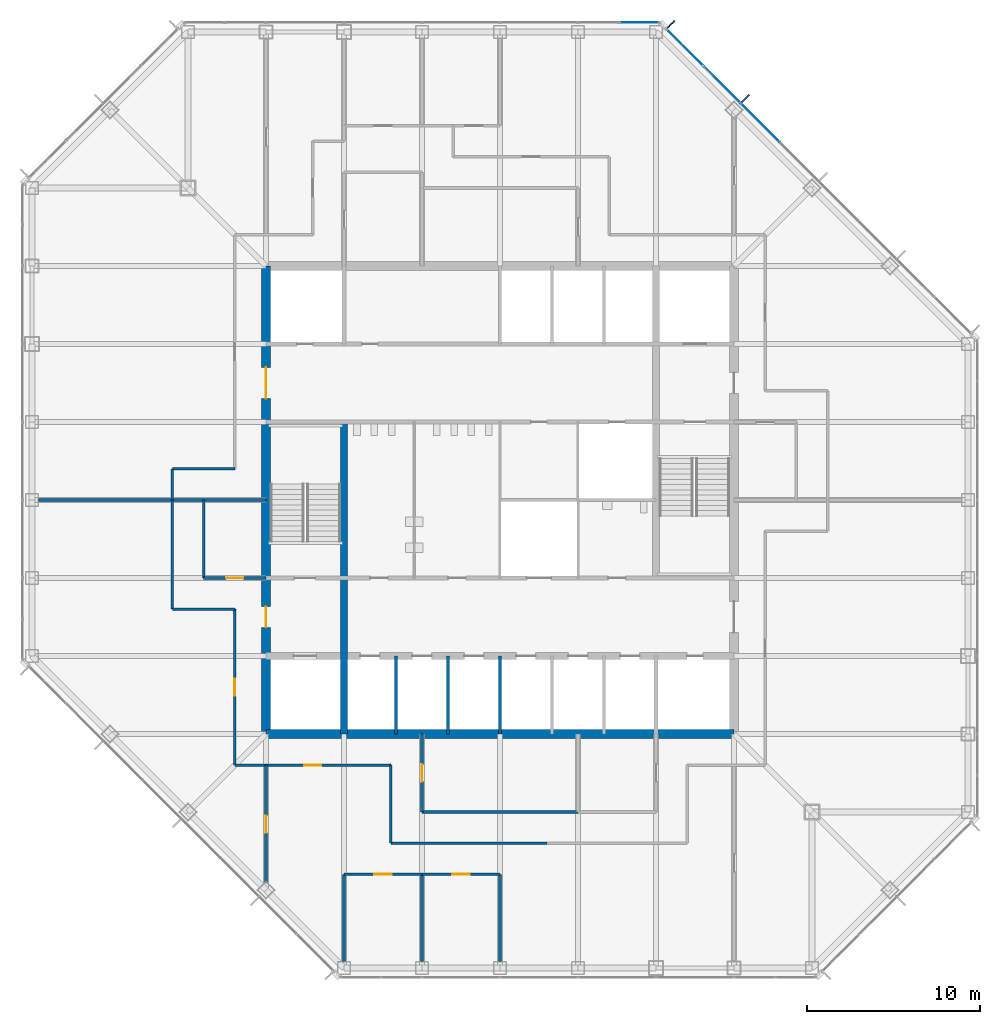
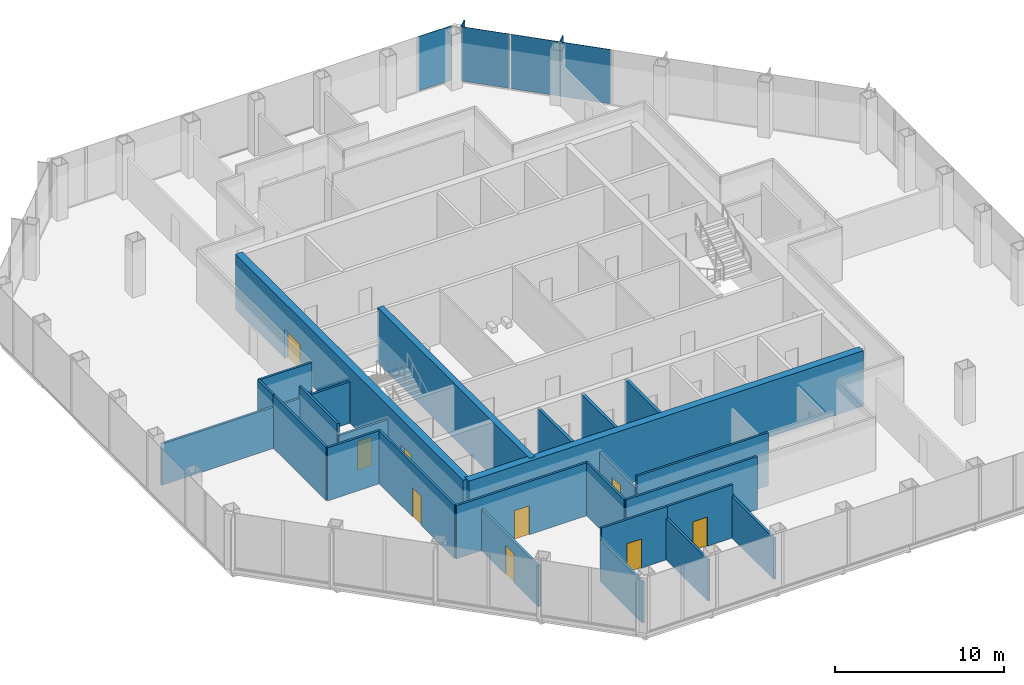
# One storey, part 8 of 13: 25 walls, 9 doors, 6 plates, 9 openings, 2 elements without a shape of their own.
"""IFC4 building model written with IfcOpenShell, lengths in metres."""

from ifc_helpers import new_model, si_unit, direction, frame, frame_2d, origin, origin_2d, place, context, subcontext, project, spatial, rectangle, extrude, material, layer, layer_set, type_object, element, fill, aggregate, save


model = new_model("IFC4")

# Units and contexts
model_context = context("Model", 3, precision=1e-05, world=origin(), true_north=direction((0.0, 1.0)))
body_context = subcontext(model_context, "Body", "Model", "MODEL_VIEW")
ifc_project = project(units=[si_unit("LENGTHUNIT", "METRE"), si_unit("AREAUNIT", "SQUARE_METRE"), si_unit("VOLUMEUNIT", "CUBIC_METRE"), si_unit("PLANEANGLEUNIT", "RADIAN"), si_unit("MASSUNIT", "GRAM", prefix="KILO")], contexts=[model_context])

# Site, building, storey
site_placement = place(None, origin())
site = spatial("IfcSite", under=ifc_project, at=site_placement, CompositionType="ELEMENT")
building_placement = place(site_placement, origin())
building = spatial("IfcBuilding", under=site, at=building_placement, Name="Corais Broadcast Tower", CompositionType="ELEMENT")
storey_placement = place(building_placement, frame((0.0, 0.0, 123.60009765625)))
storey = spatial("IfcBuildingStorey", under=building, at=storey_placement, Name="L27", CompositionType="ELEMENT", Elevation=123.60009765625)

# Curtain wall, plates
ifc_material_1 = material(Name="Aluminium and glass", Category="aluminium")
curtain_wall_type = type_object("IfcCurtainWallType", Name="Unitised fritted curtain wall CW2", PredefinedType="NOTDEFINED", material=ifc_material_1)
curtain_wall_1_placement = place(storey_placement, origin())
curtain_wall_1 = element("IfcCurtainWall", 1, at=curtain_wall_1_placement, inside=storey, type_object=curtain_wall_type, Name="CW2 curtain wall L27 5", PredefinedType="NOTDEFINED")
ifc_material_2 = material(Name="Ceramic-fritted laminated glass", Category="glass")
ifc_layer_1 = layer(ifc_material_2, 0.028076171875)
ifc_layer_set_1 = layer_set([ifc_layer_1], Name="Ceramic-fritted laminated glass")
plate_type_1 = type_object("IfcPlateType", Name="Fritted glass panel CW2", PredefinedType="CURTAIN_PANEL", material=ifc_layer_set_1)
plate_1_placement = place(storey_placement, frame((37.669677734375, 53.108154296875, 0.06494140625), z_axis=(0.0, 0.0, 1.0), x_axis=(0.707106781187, -0.707106781187, 0.0)))
plate_1 = element("IfcPlate", 2, at=plate_1_placement, type_object=plate_type_1, Name="CW2 panel 1", PredefinedType="CURTAIN_PANEL", context=body_context, shape_type="SweptSolid", body=[
    extrude(rectangle(XDim=2.9482421875, YDim=0.028076171875, at=origin_2d()), origin(), (0.0, 0.0, 1.0), 3.93505859375),
])
plate_2_placement = place(storey_placement, frame((42.013916015625, 48.763916015625, 0.06494140625), z_axis=(0.0, 0.0, 1.0), x_axis=(0.707106781187, -0.707106781187, 0.0)))
plate_2 = element("IfcPlate", 3, at=plate_2_placement, type_object=plate_type_1, Name="CW2 panel 3", PredefinedType="CURTAIN_PANEL", context=body_context, shape_type="SweptSolid", body=[
    extrude(rectangle(XDim=3.116943359375, YDim=0.028076171875, at=origin_2d()), origin(), (0.0, 0.0, 1.0), 3.93505859375),
])

# Curtain wall, plate
curtain_wall_2_placement = place(storey_placement, origin())
curtain_wall_2 = element("IfcCurtainWall", 4, at=curtain_wall_2_placement, inside=storey, type_object=curtain_wall_type, Name="CW2 curtain wall L27 4", PredefinedType="NOTDEFINED")
ifc_material_3 = material(Name="Clear laminated glass", Category="glass")
ifc_layer_2 = layer(ifc_material_3, 0.031982421875)
ifc_layer_set_2 = layer_set([ifc_layer_2], Name="Clear laminated glass")
plate_type_2 = type_object("IfcPlateType", Name="Operable glass panel CW2", PredefinedType="CURTAIN_PANEL", material=ifc_layer_set_2)
plate_3_placement = place(storey_placement, frame((35.029541015625, 54.550048828125, 0.06494140625), z_axis=(0.0, 0.0, 1.0), x_axis=(1.0, 0.0, 0.0)))
plate_3 = element("IfcPlate", 5, at=plate_3_placement, type_object=plate_type_2, Name="CW2 operable panel 8", PredefinedType="CURTAIN_PANEL", context=body_context, shape_type="SweptSolid", body=[
    extrude(rectangle(XDim=2.266357421875, YDim=0.031982421875, at=origin_2d()), origin(), (0.0, 0.0, 1.0), 3.93505859375),
])
aggregate(curtain_wall_2, [plate_3])

# Plate
plate_4_placement = place(storey_placement, frame((39.81201171875, 50.9658203125, 0.06494140625), z_axis=(0.0, 0.0, 1.0), x_axis=(0.707106781187, -0.707106781187, 0.0)))
plate_4 = element("IfcPlate", 6, at=plate_4_placement, type_object=plate_type_2, Name="CW2 operable panel 2", PredefinedType="CURTAIN_PANEL", context=body_context, shape_type="SweptSolid", body=[
    extrude(rectangle(XDim=2.98095703125, YDim=0.031982421875, at=origin_2d()), origin(), (0.0, 0.0, 1.0), 3.93505859375),
])

aggregate(curtain_wall_1, [plate_1, plate_4, plate_2])

# Plates
ifc_material_4 = material(Name="Granite stone cladding", Category="masonry")
ifc_layer_3 = layer(ifc_material_4, 0.080078125)
ifc_layer_set_3 = layer_set([ifc_layer_3], Name="Granite stone cladding")
plate_type_3 = type_object("IfcPlateType", Name="Stone screen fin 80x600", PredefinedType="USERDEFINED", material=ifc_layer_set_3)
for number, where, z_axis, x_axis, name in (
    (7, (36.8779296875, 54.447021484375, 0.0), (0.0, 0.0, 1.0), (0.707106781187, -0.707106781187, 0.0), "SF1 stone screen fin L27"),
    (8, (41.16259765625, 50.16259765625, 0.0), (0.0, 0.0, 1.0), (0.707106781187, -0.707106781187, 0.0), "SF1 stone screen fin L27"),
):
    element("IfcPlate", number, at=place(storey_placement, frame(where, z_axis=z_axis, x_axis=x_axis)), inside=storey, type_object=plate_type_3, Name=name, ObjectType="STONE SCREEN FIN", PredefinedType="USERDEFINED", context=body_context, shape_type="SweptSolid", body=[
        extrude(rectangle(XDim=0.080078125, YDim=0.60009765625, at=origin_2d()), origin(), (0.0, 0.0, 1.0), 4.0),
    ])

# Walls
ifc_material_5 = material(Name="Concrete C50/60", Category="concrete")
ifc_layer_4 = layer(ifc_material_5, 0.39990234375)
ifc_layer_set_4 = layer_set([ifc_layer_4], Name="Concrete C50/60")
wall_type_1 = type_object("IfcWallType", Name="Core wall 400", PredefinedType="SHEAR", material=ifc_layer_set_4)
wall_1_placement = place(storey_placement, frame((18.0, 13.5, 0.0), z_axis=(0.0, 0.0, 1.0), x_axis=(0.0, 1.0, 0.0)))
element("IfcWall", 9, at=wall_1_placement, inside=storey, type_object=wall_type_1, Name="CR400 core wall X18A L27", PredefinedType="SHEAR", context=body_context, shape_type="SweptSolid", body=[
    extrude(rectangle(XDim=18.0, YDim=0.39990234375, at=frame_2d((9.0, 0.0))), origin(), (0.0, 0.0, 1.0), 4.0),
])
ifc_material_6 = material(Name="Concrete C50/60", Category="concrete")
ifc_layer_5 = layer(ifc_material_6, 0.5)
ifc_layer_set_5 = layer_set([ifc_layer_5], Name="Concrete C50/60")
wall_type_2 = type_object("IfcWallType", Name="Core wall 500", PredefinedType="SHEAR", material=ifc_layer_set_5)
wall_2_placement = place(storey_placement, frame((13.5, 13.5, 0.0), z_axis=(0.0, 0.0, 1.0), x_axis=(1.0, 0.0, 0.0)))
element("IfcWall", 10, at=wall_2_placement, inside=storey, type_object=wall_type_2, Name="CR500 core wall S L27", PredefinedType="SHEAR", context=body_context, shape_type="SweptSolid", body=[
    extrude(rectangle(XDim=27.0, YDim=0.5, at=frame_2d((13.5, 0.0))), origin(), (0.0, 0.0, 1.0), 4.0),
])

# Wall, openings, doors
wall_3_placement = place(storey_placement, frame((13.5, 40.5, 0.0), z_axis=(0.0, 0.0, 1.0), x_axis=(0.0, -1.0, 0.0)))
wall_3 = element("IfcWall", 11, at=wall_3_placement, inside=storey, type_object=wall_type_2, Name="CR500 core wall W L27", PredefinedType="SHEAR", context=body_context, shape_type="SweptSolid", body=[
    extrude(rectangle(XDim=27.0, YDim=0.5, at=frame_2d((13.5, 0.0))), origin(), (0.0, 0.0, 1.0), 4.0),
])
opening_1_placement = place(wall_3_placement, frame((19.64990234375, 0.0, 0.0)))
opening_1 = element("IfcOpeningElement", 12, at=opening_1_placement, cuts=wall_3, Name="Opening FD1", PredefinedType="OPENING", context=body_context, shape_type="SweptSolid", body=[
    extrude(rectangle(XDim=1.199951171875, YDim=2.10009765625, at=frame_2d((0.60009765625, 1.050048828125))), frame((0.0, 0.260009765625, 0.0), z_axis=(0.0, -1.0, 0.0), x_axis=(1.0, 0.0, 0.0)), (0.0, 0.0, 1.0), 0.52001953125),
])
opening_2_placement = place(wall_3_placement, frame((5.85009765625, 0.0, 0.0)))
opening_2 = element("IfcOpeningElement", 13, at=opening_2_placement, cuts=wall_3, Name="Opening FD2", PredefinedType="OPENING", context=body_context, shape_type="SweptSolid", body=[
    extrude(rectangle(XDim=1.800048828125, YDim=2.10009765625, at=frame_2d((0.89990234375, 1.050048828125))), frame((0.0, 0.260009765625, 0.0), z_axis=(0.0, -1.0, 0.0), x_axis=(1.0, 0.0, 0.0)), (0.0, 0.0, 1.0), 0.52001953125),
])
ifc_material_7 = material(Name="Steel fire door", Category="steel")
door_type_1 = type_object("IfcDoorType", Name="Fire door 1200x2100", OperationType="SINGLE_SWING_LEFT", PredefinedType="DOOR", material=ifc_material_7)
door_1_placement = place(opening_1_placement, origin())
door_1 = element("IfcDoor", 14, at=door_1_placement, inside=storey, type_object=door_type_1, Name="FD1 fire lobby A door L27", OperationType="SINGLE_SWING_RIGHT", OverallHeight=2.10009765625, OverallWidth=1.199951171875, PredefinedType="DOOR", context=body_context, shape_type="SweptSolid", body=[
    extrude(rectangle(XDim=1.199951171875, YDim=2.10009765625, at=frame_2d((0.60009765625, 1.050048828125))), frame((0.0, 0.02490234375, 0.0), z_axis=(0.0, -1.0, 0.0), x_axis=(1.0, 0.0, 0.0)), (0.0, 0.0, 1.0), 0.050048828125),
])
fill(opening_1, door_1)
ifc_material_8 = material(Name="Steel fire door", Category="steel")
door_type_2 = type_object("IfcDoorType", Name="Fire door pair 1800x2100", OperationType="DOUBLE_DOOR_SINGLE_SWING", PredefinedType="DOOR", material=ifc_material_8)
door_2_placement = place(opening_2_placement, origin())
door_2 = element("IfcDoor", 15, at=door_2_placement, inside=storey, type_object=door_type_2, Name="FD2 lift lobby door L27", OperationType="SINGLE_SWING_LEFT", OverallHeight=2.10009765625, OverallWidth=1.800048828125, PredefinedType="DOOR", context=body_context, shape_type="SweptSolid", body=[
    extrude(rectangle(XDim=1.800048828125, YDim=2.10009765625, at=frame_2d((0.89990234375, 1.050048828125))), frame((0.0, 0.02490234375, 0.0), z_axis=(0.0, -1.0, 0.0), x_axis=(1.0, 0.0, 0.0)), (0.0, 0.0, 1.0), 0.050048828125),
])
fill(opening_2, door_2)

# Wall
ifc_material_9 = material(Name="Two layers of fire-rated gypsum board each side on steel studs", Category="steel")
ifc_layer_6 = layer(ifc_material_9, 0.14990234375)
ifc_layer_set_6 = layer_set([ifc_layer_6], Name="Two layers of fire-rated gypsum board each side on steel studs")
wall_type_3 = type_object("IfcWallType", Name="Fire-rated partition 150 EI 60", PredefinedType="PARTITIONING", material=ifc_layer_set_6)
wall_4_placement = place(storey_placement, frame((0.385009765625, 27.0, 0.0), z_axis=(0.0, 0.0, 1.0), x_axis=(1.0, 0.0, 0.0)))
element("IfcWall", 16, at=wall_4_placement, inside=storey, type_object=wall_type_3, Name="IW7 tenancy wall L27", PredefinedType="PARTITIONING", context=body_context, shape_type="SweptSolid", body=[
    extrude(rectangle(XDim=13.114990234375, YDim=0.14990234375, at=frame_2d((6.5576171875, 0.0))), origin(), (0.0, 0.0, 1.0), 2.989013671875),
])

# Wall, opening, door
ifc_material_10 = material(Name="Gypsum board on steel studs", Category="steel")
ifc_layer_7 = layer(ifc_material_10, 0.14990234375)
ifc_layer_set_7 = layer_set([ifc_layer_7], Name="Gypsum board on steel studs")
wall_type_4 = type_object("IfcWallType", Name="Partition 150", PredefinedType="PARTITIONING", material=ifc_layer_set_7)
wall_5_placement = place(storey_placement, frame((11.699951171875, 11.699951171875, 0.0), z_axis=(0.0, 0.0, 1.0), x_axis=(1.0, 0.0, 0.0)))
wall_5 = element("IfcWall", 17, at=wall_5_placement, inside=storey, type_object=wall_type_4, Name="IW3 corridor wall L27", PredefinedType="PARTITIONING", context=body_context, shape_type="SweptSolid", body=[
    extrude(rectangle(XDim=9.0, YDim=0.14990234375, at=frame_2d((4.5, 0.0))), origin(), (0.0, 0.0, 1.0), 3.83984375),
])
opening_3_placement = place(wall_5_placement, frame((4.0, 0.0, 0.0)))
opening_3 = element("IfcOpeningElement", 18, at=opening_3_placement, cuts=wall_5, Name="Opening D1", PredefinedType="OPENING", context=body_context, shape_type="SweptSolid", body=[
    extrude(rectangle(XDim=1.0, YDim=2.10009765625, at=frame_2d((0.5, 1.050048828125))), frame((0.0, 0.0849609375, 0.0), z_axis=(0.0, -1.0, 0.0), x_axis=(1.0, 0.0, 0.0)), (0.0, 0.0, 1.0), 0.169921875),
])
ifc_material_11 = material(Name="Timber door", Category="wood")
door_type_3 = type_object("IfcDoorType", Name="Single door 1000x2100", OperationType="SINGLE_SWING_LEFT", PredefinedType="DOOR", material=ifc_material_11)
door_3_placement = place(opening_3_placement, origin())
door_3 = element("IfcDoor", 19, at=door_3_placement, inside=storey, type_object=door_type_3, Name="D1 workplace door L27", OperationType="SINGLE_SWING_LEFT", OverallHeight=2.10009765625, OverallWidth=1.0, PredefinedType="DOOR", context=body_context, shape_type="SweptSolid", body=[
    extrude(rectangle(XDim=1.0, YDim=2.10009765625, at=frame_2d((0.5, 1.050048828125))), frame((0.0, 0.02490234375, 0.0), z_axis=(0.0, -1.0, 0.0), x_axis=(1.0, 0.0, 0.0)), (0.0, 0.0, 1.0), 0.050048828125),
])
fill(opening_3, door_3)

wall_6_placement = place(storey_placement, frame((11.699951171875, 20.699951171875, 0.0), z_axis=(0.0, 0.0, 1.0), x_axis=(0.0, -1.0, 0.0)))
wall_6 = element("IfcWall", 20, at=wall_6_placement, inside=storey, type_object=wall_type_4, Name="IW3 corridor wall L27", PredefinedType="PARTITIONING", context=body_context, shape_type="SweptSolid", body=[
    extrude(rectangle(XDim=9.0, YDim=0.14990234375, at=frame_2d((4.5, 0.0))), origin(), (0.0, 0.0, 1.0), 3.83984375),
])
opening_4_placement = place(wall_6_placement, frame((4.0, 0.0, 0.0)))
opening_4 = element("IfcOpeningElement", 21, at=opening_4_placement, cuts=wall_6, Name="Opening D1", PredefinedType="OPENING", context=body_context, shape_type="SweptSolid", body=[
    extrude(rectangle(XDim=1.0, YDim=2.10009765625, at=frame_2d((0.5, 1.050048828125))), frame((0.0, 0.0849609375, 0.0), z_axis=(0.0, -1.0, 0.0), x_axis=(1.0, 0.0, 0.0)), (0.0, 0.0, 1.0), 0.169921875),
])
door_4_placement = place(opening_4_placement, origin())
door_4 = element("IfcDoor", 22, at=door_4_placement, inside=storey, type_object=door_type_3, Name="D1 workplace door L27", OperationType="SINGLE_SWING_LEFT", OverallHeight=2.10009765625, OverallWidth=1.0, PredefinedType="DOOR", context=body_context, shape_type="SweptSolid", body=[
    extrude(rectangle(XDim=1.0, YDim=2.10009765625, at=frame_2d((0.5, 1.050048828125))), frame((0.0, 0.02490234375, 0.0), z_axis=(0.0, -1.0, 0.0), x_axis=(1.0, 0.0, 0.0)), (0.0, 0.0, 1.0), 0.050048828125),
])
fill(opening_4, door_4)

# Walls
wall_7_placement = place(storey_placement, frame((20.699951171875, 7.199951171875, 0.0), z_axis=(0.0, 0.0, 1.0), x_axis=(1.0, 0.0, 0.0)))
element("IfcWall", 23, at=wall_7_placement, inside=storey, type_object=wall_type_4, Name="IW3 corridor wall L27", PredefinedType="PARTITIONING", context=body_context, shape_type="SweptSolid", body=[
    extrude(rectangle(XDim=9.0, YDim=0.14990234375, at=frame_2d((4.5, 0.0))), origin(), (0.0, 0.0, 1.0), 3.83984375),
])
wall_8_placement = place(storey_placement, frame((8.10009765625, 26.99951171875, 0.0), z_axis=(0.0, 0.0, 1.0), x_axis=(0.0, -1.0, 0.0)))
element("IfcWall", 24, at=wall_8_placement, inside=storey, type_object=wall_type_4, Name="IW3 corridor wall L27", PredefinedType="PARTITIONING", context=body_context, shape_type="SweptSolid", body=[
    extrude(rectangle(XDim=6.299560546875, YDim=0.14990234375, at=frame_2d((3.14990234375, 0.0))), origin(), (0.0, 0.0, 1.0), 3.83984375),
])
wall_9_placement = place(storey_placement, frame((20.699951171875, 11.699951171875, 0.0), z_axis=(0.0, 0.0, 1.0), x_axis=(0.0, -1.0, 0.0)))
element("IfcWall", 25, at=wall_9_placement, inside=storey, type_object=wall_type_4, Name="IW3 corridor wall L27", PredefinedType="PARTITIONING", context=body_context, shape_type="SweptSolid", body=[
    extrude(rectangle(XDim=4.5, YDim=0.14990234375, at=frame_2d((2.25, 0.0))), origin(), (0.0, 0.0, 1.0), 3.83984375),
])
for number, where, z_axis, x_axis, name in (
    (26, (8.10009765625, 20.699951171875, 0.0), (0.0, 0.0, 1.0), (1.0, 0.0, 0.0), "IW3 corridor wall L27"),
    (27, (11.699951171875, 28.800048828125, 0.0), (0.0, 0.0, 1.0), (-1.0, 0.0, 0.0), "IW3 corridor wall L27"),
):
    element("IfcWall", number, at=place(storey_placement, frame(where, z_axis=z_axis, x_axis=x_axis)), inside=storey, type_object=wall_type_4, Name=name, PredefinedType="PARTITIONING", context=body_context, shape_type="SweptSolid", body=[
        extrude(rectangle(XDim=3.599853515625, YDim=0.14990234375, at=frame_2d((1.7998046875, 0.0))), origin(), (0.0, 0.0, 1.0), 3.83984375),
    ])
wall_10_placement = place(storey_placement, frame((8.10009765625, 28.800048828125, 0.0), z_axis=(0.0, 0.0, 1.0), x_axis=(0.0, -1.0, 0.0)))
element("IfcWall", 28, at=wall_10_placement, inside=storey, type_object=wall_type_4, Name="IW3 corridor wall L27", PredefinedType="PARTITIONING", context=body_context, shape_type="SweptSolid", body=[
    extrude(rectangle(XDim=1.799560546875, YDim=0.14990234375, at=frame_2d((0.89990234375, 0.0))), origin(), (0.0, 0.0, 1.0), 3.83984375),
])
wall_11_placement = place(storey_placement, frame((22.5, 9.0, 0.0), z_axis=(0.0, 0.0, 1.0), x_axis=(1.0, 0.0, 0.0)))
element("IfcWall", 29, at=wall_11_placement, inside=storey, type_object=wall_type_4, Name="IW3 partition L27", PredefinedType="PARTITIONING", context=body_context, shape_type="SweptSolid", body=[
    extrude(rectangle(XDim=9.0, YDim=0.14990234375, at=frame_2d((4.5, 0.0))), origin(), (0.0, 0.0, 1.0), 3.83984375),
])

# Wall, opening, door
wall_12_placement = place(storey_placement, frame((22.5, 13.5, 0.0), z_axis=(0.0, 0.0, 1.0), x_axis=(0.0, -1.0, 0.0)))
wall_12 = element("IfcWall", 30, at=wall_12_placement, inside=storey, type_object=wall_type_4, Name="IW3 partition L27", PredefinedType="PARTITIONING", context=body_context, shape_type="SweptSolid", body=[
    extrude(rectangle(XDim=4.5, YDim=0.14990234375, at=frame_2d((2.25, 0.0))), origin(), (0.0, 0.0, 1.0), 2.989013671875),
])
opening_5_placement = place(wall_12_placement, frame((1.75, 0.0, 0.0)))
opening_5 = element("IfcOpeningElement", 31, at=opening_5_placement, cuts=wall_12, Name="Opening D1", PredefinedType="OPENING", context=body_context, shape_type="SweptSolid", body=[
    extrude(rectangle(XDim=1.0, YDim=2.10009765625, at=frame_2d((0.5, 1.050048828125))), frame((0.0, 0.0849609375, 0.0), z_axis=(0.0, -1.0, 0.0), x_axis=(1.0, 0.0, 0.0)), (0.0, 0.0, 1.0), 0.169921875),
])
door_5_placement = place(opening_5_placement, origin())
door_5 = element("IfcDoor", 32, at=door_5_placement, inside=storey, type_object=door_type_3, Name="D1 Meeting room door", OperationType="SINGLE_SWING_LEFT", OverallHeight=2.10009765625, OverallWidth=1.0, PredefinedType="DOOR", context=body_context, shape_type="SweptSolid", body=[
    extrude(rectangle(XDim=1.0, YDim=2.10009765625, at=frame_2d((0.5, 1.050048828125))), frame((0.0, 0.02490234375, 0.0), z_axis=(0.0, -1.0, 0.0), x_axis=(1.0, 0.0, 0.0)), (0.0, 0.0, 1.0), 0.050048828125),
])
fill(opening_5, door_5)

# Wall
wall_13_placement = place(storey_placement, frame((22.5, 0.385009765625, 0.0), z_axis=(0.0, 0.0, 1.0), x_axis=(0.0, 1.0, 0.0)))
element("IfcWall", 33, at=wall_13_placement, inside=storey, type_object=wall_type_4, Name="IW3 partition L27", PredefinedType="PARTITIONING", context=body_context, shape_type="SweptSolid", body=[
    extrude(rectangle(XDim=5.014892578125, YDim=0.14990234375, at=frame_2d((2.50732421875, 0.0))), origin(), (0.0, 0.0, 1.0), 2.989013671875),
])

# Wall, opening, door
wall_14_placement = place(storey_placement, frame((22.5, 5.39990234375, 0.0), z_axis=(0.0, 0.0, 1.0), x_axis=(-1.0, 0.0, 0.0)))
wall_14 = element("IfcWall", 34, at=wall_14_placement, inside=storey, type_object=wall_type_4, Name="IW3 partition L27", PredefinedType="PARTITIONING", context=body_context, shape_type="SweptSolid", body=[
    extrude(rectangle(XDim=4.5, YDim=0.14990234375, at=frame_2d((2.25, 0.0))), origin(), (0.0, 0.0, 1.0), 3.83984375),
])
opening_6_placement = place(wall_14_placement, frame((1.75, 0.0, 0.0)))
opening_6 = element("IfcOpeningElement", 35, at=opening_6_placement, cuts=wall_14, Name="Opening D1", PredefinedType="OPENING", context=body_context, shape_type="SweptSolid", body=[
    extrude(rectangle(XDim=1.0, YDim=2.10009765625, at=frame_2d((0.5, 1.050048828125))), frame((0.0, 0.0849609375, 0.0), z_axis=(0.0, -1.0, 0.0), x_axis=(1.0, 0.0, 0.0)), (0.0, 0.0, 1.0), 0.169921875),
])
door_6_placement = place(opening_6_placement, origin())
door_6 = element("IfcDoor", 36, at=door_6_placement, inside=storey, type_object=door_type_3, Name="D1 Office door", OperationType="SINGLE_SWING_LEFT", OverallHeight=2.10009765625, OverallWidth=1.0, PredefinedType="DOOR", context=body_context, shape_type="SweptSolid", body=[
    extrude(rectangle(XDim=1.0, YDim=2.10009765625, at=frame_2d((0.5, 1.050048828125))), frame((0.0, 0.02490234375, 0.0), z_axis=(0.0, -1.0, 0.0), x_axis=(1.0, 0.0, 0.0)), (0.0, 0.0, 1.0), 0.050048828125),
])
fill(opening_6, door_6)

# Walls
for number, where, z_axis, x_axis, name in (
    (37, (18.0, 5.39990234375, 0.0), (0.0, 0.0, 1.0), (0.0, -1.0, 0.0), "IW3 partition L27"),
    (38, (27.0, 0.385009765625, 0.0), (0.0, 0.0, 1.0), (0.0, 1.0, 0.0), "IW3 partition L27"),
):
    element("IfcWall", number, at=place(storey_placement, frame(where, z_axis=z_axis, x_axis=x_axis)), inside=storey, type_object=wall_type_4, Name=name, PredefinedType="PARTITIONING", context=body_context, shape_type="SweptSolid", body=[
        extrude(rectangle(XDim=5.014892578125, YDim=0.14990234375, at=frame_2d((2.50732421875, 0.0))), origin(), (0.0, 0.0, 1.0), 2.989013671875),
    ])

# Wall, opening, door
wall_15_placement = place(storey_placement, frame((27.0, 5.39990234375, 0.0), z_axis=(0.0, 0.0, 1.0), x_axis=(-1.0, 0.0, 0.0)))
wall_15 = element("IfcWall", 39, at=wall_15_placement, inside=storey, type_object=wall_type_4, Name="IW3 partition L27", PredefinedType="PARTITIONING", context=body_context, shape_type="SweptSolid", body=[
    extrude(rectangle(XDim=4.5, YDim=0.14990234375, at=frame_2d((2.25, 0.0))), origin(), (0.0, 0.0, 1.0), 3.83984375),
])
opening_7_placement = place(wall_15_placement, frame((1.75, 0.0, 0.0)))
opening_7 = element("IfcOpeningElement", 40, at=opening_7_placement, cuts=wall_15, Name="Opening D1", PredefinedType="OPENING", context=body_context, shape_type="SweptSolid", body=[
    extrude(rectangle(XDim=1.0, YDim=2.10009765625, at=frame_2d((0.5, 1.050048828125))), frame((0.0, 0.0849609375, 0.0), z_axis=(0.0, -1.0, 0.0), x_axis=(1.0, 0.0, 0.0)), (0.0, 0.0, 1.0), 0.169921875),
])
door_7_placement = place(opening_7_placement, origin())
door_7 = element("IfcDoor", 41, at=door_7_placement, inside=storey, type_object=door_type_3, Name="D1 Office door", OperationType="SINGLE_SWING_LEFT", OverallHeight=2.10009765625, OverallWidth=1.0, PredefinedType="DOOR", context=body_context, shape_type="SweptSolid", body=[
    extrude(rectangle(XDim=1.0, YDim=2.10009765625, at=frame_2d((0.5, 1.050048828125))), frame((0.0, 0.02490234375, 0.0), z_axis=(0.0, -1.0, 0.0), x_axis=(1.0, 0.0, 0.0)), (0.0, 0.0, 1.0), 0.050048828125),
])
fill(opening_7, door_7)

wall_16_placement = place(storey_placement, frame((9.89990234375, 22.5, 0.0), z_axis=(0.0, 0.0, 1.0), x_axis=(1.0, 0.0, 0.0)))
wall_16 = element("IfcWall", 42, at=wall_16_placement, inside=storey, type_object=wall_type_4, Name="IW3 partition L27", PredefinedType="PARTITIONING", context=body_context, shape_type="SweptSolid", body=[
    extrude(rectangle(XDim=3.60009765625, YDim=0.14990234375, at=frame_2d((1.800048828125, 0.0))), origin(), (0.0, 0.0, 1.0), 2.989013671875),
])
opening_8_placement = place(wall_16_placement, frame((1.300048828125, 0.0, 0.0)))
opening_8 = element("IfcOpeningElement", 43, at=opening_8_placement, cuts=wall_16, Name="Opening D1", PredefinedType="OPENING", context=body_context, shape_type="SweptSolid", body=[
    extrude(rectangle(XDim=1.0, YDim=2.10009765625, at=frame_2d((0.5, 1.050048828125))), frame((0.0, 0.0849609375, 0.0), z_axis=(0.0, -1.0, 0.0), x_axis=(1.0, 0.0, 0.0)), (0.0, 0.0, 1.0), 0.169921875),
])
door_8_placement = place(opening_8_placement, origin())
door_8 = element("IfcDoor", 44, at=door_8_placement, inside=storey, type_object=door_type_3, Name="D1 Pantry door", OperationType="SINGLE_SWING_LEFT", OverallHeight=2.10009765625, OverallWidth=1.0, PredefinedType="DOOR", context=body_context, shape_type="SweptSolid", body=[
    extrude(rectangle(XDim=1.0, YDim=2.10009765625, at=frame_2d((0.5, 1.050048828125))), frame((0.0, 0.02490234375, 0.0), z_axis=(0.0, -1.0, 0.0), x_axis=(1.0, 0.0, 0.0)), (0.0, 0.0, 1.0), 0.050048828125),
])
fill(opening_8, door_8)

# Wall
wall_17_placement = place(storey_placement, frame((9.89990234375, 27.0, 0.0), z_axis=(0.0, 0.0, 1.0), x_axis=(0.0, -1.0, 0.0)))
element("IfcWall", 45, at=wall_17_placement, inside=storey, type_object=wall_type_4, Name="IW3 partition L27", PredefinedType="PARTITIONING", context=body_context, shape_type="SweptSolid", body=[
    extrude(rectangle(XDim=4.5, YDim=0.14990234375, at=frame_2d((2.25, 0.0))), origin(), (0.0, 0.0, 1.0), 3.83984375),
])

# Wall, opening, door
wall_18_placement = place(storey_placement, frame((13.5, 4.89501953125, 0.0), z_axis=(0.0, 0.0, 1.0), x_axis=(0.0, 1.0, 0.0)))
wall_18 = element("IfcWall", 46, at=wall_18_placement, inside=storey, type_object=wall_type_4, Name="IW3 partition L27", PredefinedType="PARTITIONING", context=body_context, shape_type="SweptSolid", body=[
    extrude(rectangle(XDim=6.804931640625, YDim=0.14990234375, at=frame_2d((3.40234375, 0.0))), origin(), (0.0, 0.0, 1.0), 2.989013671875),
])
opening_9_placement = place(wall_18_placement, frame((2.902587890625, 0.0, 0.0)))
opening_9 = element("IfcOpeningElement", 47, at=opening_9_placement, cuts=wall_18, Name="Opening D1", PredefinedType="OPENING", context=body_context, shape_type="SweptSolid", body=[
    extrude(rectangle(XDim=1.0, YDim=2.10009765625, at=frame_2d((0.5, 1.050048828125))), frame((0.0, 0.0849609375, 0.0), z_axis=(0.0, -1.0, 0.0), x_axis=(1.0, 0.0, 0.0)), (0.0, 0.0, 1.0), 0.169921875),
])
door_9_placement = place(opening_9_placement, origin())
door_9 = element("IfcDoor", 48, at=door_9_placement, inside=storey, type_object=door_type_3, Name="D1 team room door L27", OperationType="SINGLE_SWING_LEFT", OverallHeight=2.10009765625, OverallWidth=1.0, PredefinedType="DOOR", context=body_context, shape_type="SweptSolid", body=[
    extrude(rectangle(XDim=1.0, YDim=2.10009765625, at=frame_2d((0.5, 1.050048828125))), frame((0.0, 0.02490234375, 0.0), z_axis=(0.0, -1.0, 0.0), x_axis=(1.0, 0.0, 0.0)), (0.0, 0.0, 1.0), 0.050048828125),
])
fill(opening_9, door_9)

# Walls
ifc_material_12 = material(Name="Concrete blockwork class A, grouted, two-hour", Category="masonry")
ifc_layer_8 = layer(ifc_material_12, 0.199951171875)
ifc_layer_set_8 = layer_set([ifc_layer_8], Name="Concrete blockwork class A, grouted, two-hour")
wall_type_5 = type_object("IfcWallType", Name="Shaft wall 200", PredefinedType="PARTITIONING", material=ifc_layer_set_8)
for number, where, z_axis, x_axis, name in (
    (49, (21.0, 13.5, 0.0), (0.0, 0.0, 1.0), (0.0, 1.0, 0.0), "IW1 shaft wall L27"),
    (50, (24.0, 13.5, 0.0), (0.0, 0.0, 1.0), (0.0, 1.0, 0.0), "IW1 shaft wall L27"),
    (51, (27.0, 13.5, 0.0), (0.0, 0.0, 1.0), (0.0, 1.0, 0.0), "IW1 shaft wall L27"),
):
    element("IfcWall", number, at=place(storey_placement, frame(where, z_axis=z_axis, x_axis=x_axis)), inside=storey, type_object=wall_type_5, Name=name, PredefinedType="PARTITIONING", context=body_context, shape_type="SweptSolid", body=[
        extrude(rectangle(XDim=4.5, YDim=0.199951171875, at=frame_2d((2.25, 0.0))), origin(), (0.0, 0.0, 1.0), 3.83984375),
    ])

save(model, "model.ifc")
